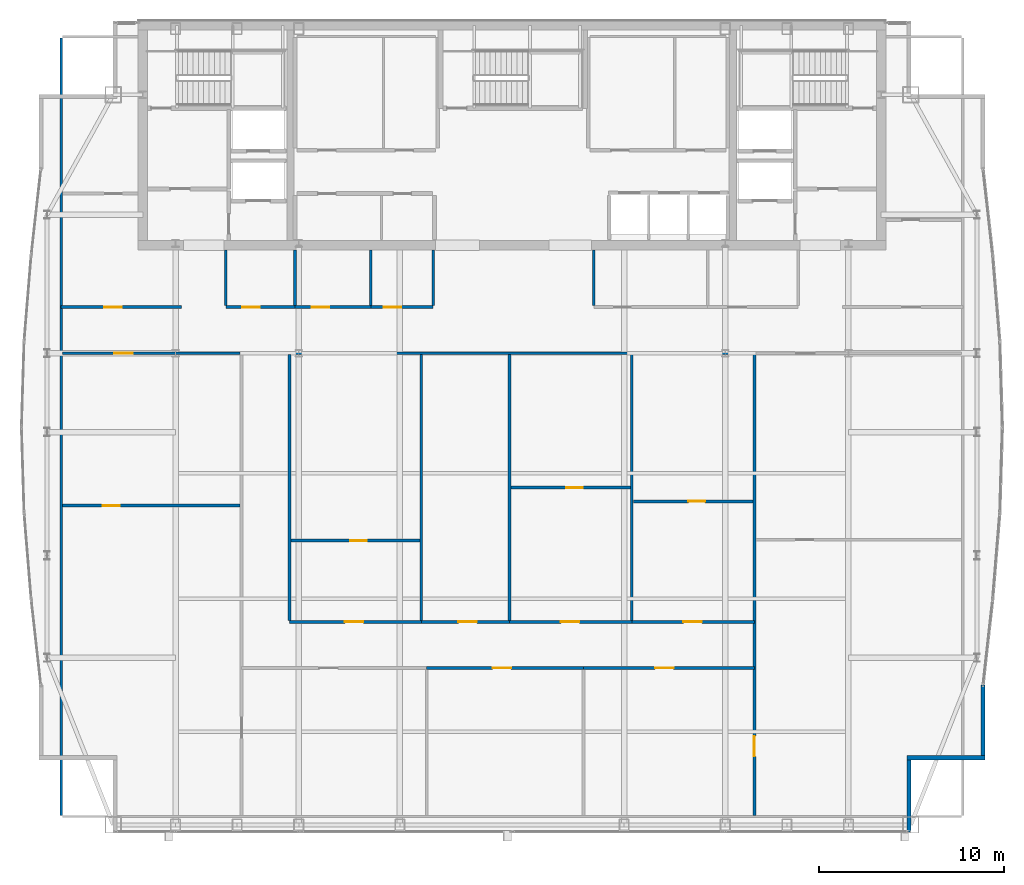
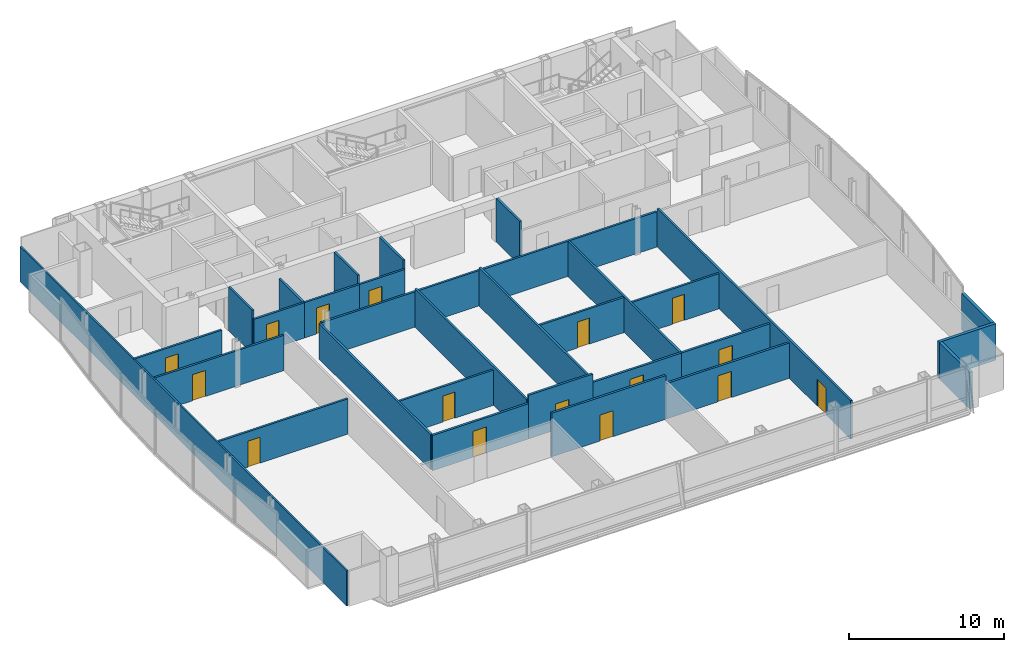
# One storey, part 20 of 25: 30 walls, 16 doors, 16 openings.
"""IFC4 building model written with IfcOpenShell, lengths in metres."""

from ifc_helpers import new_model, si_unit, direction, frame, frame_2d, origin, place, context, subcontext, project, spatial, rectangle, extrude, material, layer, layer_set, type_object, element, fill, save


model = new_model("IFC4")

# Units and contexts
model_context = context("Model", 3, precision=1e-05, world=origin(), true_north=direction((0.0, 1.0)))
body_context = subcontext(model_context, "Body", "Model", "MODEL_VIEW")
ifc_project = project(units=[si_unit("LENGTHUNIT", "METRE"), si_unit("AREAUNIT", "SQUARE_METRE"), si_unit("VOLUMEUNIT", "CUBIC_METRE"), si_unit("PLANEANGLEUNIT", "RADIAN"), si_unit("MASSUNIT", "GRAM", prefix="KILO")], contexts=[model_context])

# Site, building, storey
site_placement = place(None, origin())
site = spatial("IfcSite", under=ifc_project, at=site_placement, CompositionType="ELEMENT")
building_placement = place(site_placement, origin())
building = spatial("IfcBuilding", under=site, at=building_placement, Name="Khoronbel Lancet Exchange", CompositionType="ELEMENT")
storey_placement = place(building_placement, frame((0.0, 0.0, 295.0)))
storey = spatial("IfcBuildingStorey", under=building, at=storey_placement, Name="L76", CompositionType="ELEMENT", Elevation=295.0)

# Walls
ifc_material_1 = material(Name="Precast concrete C40/50", Category="concrete")
ifc_layer_1 = layer(ifc_material_1, 0.25, Name="Precast concrete C40/50")
ifc_layer_set_1 = layer_set([ifc_layer_1], Name="Precast concrete C40/50")
wall_type_1 = type_object("IfcWallType", Name="WL-EXT250", PredefinedType="SOLIDWALL", material=ifc_layer_set_1)
wall_1_placement = place(storey_placement, frame((61.9599609375, 17.72509765625, 0.0), z_axis=(0.0, 0.0, 1.0), x_axis=(0.0, -1.0, 0.0)))
element("IfcWall", 1, at=wall_1_placement, inside=storey, type_object=wall_type_1, Name="Level L76 notched-corner limestone pier 23", PredefinedType="SOLIDWALL", context=body_context, shape_type="SweptSolid", body=[
    extrude(rectangle(XDim=3.8251953125, YDim=0.219970703125, at=frame_2d((1.91259765625, 0.0))), origin(), (0.0, 0.0, 1.0), 2.8798828125),
])
wall_2_placement = place(storey_placement, frame((62.070068359375, 13.7900390625, 0.0), z_axis=(0.0, 0.0, 1.0), x_axis=(-1.0, 0.0, 0.0)))
element("IfcWall", 2, at=wall_2_placement, inside=storey, type_object=wall_type_1, Name="Level L76 notched-corner limestone pier 24", PredefinedType="SOLIDWALL", context=body_context, shape_type="SweptSolid", body=[
    extrude(rectangle(XDim=4.219970703125, YDim=0.219970703125, at=frame_2d((2.10986328125, 0.0))), origin(), (0.0, 0.0, 1.0), 2.8798828125),
])
wall_3_placement = place(storey_placement, frame((57.9599609375, 13.679931640625, 0.0), z_axis=(0.0, 0.0, 1.0), x_axis=(0.0, -1.0, 0.0)))
element("IfcWall", 3, at=wall_3_placement, inside=storey, type_object=wall_type_1, Name="Level L76 notched-corner limestone pier 25", PredefinedType="SOLIDWALL", context=body_context, shape_type="SweptSolid", body=[
    extrude(rectangle(XDim=3.909912109375, YDim=0.219970703125, at=frame_2d((1.955078125, 0.0))), origin(), (0.0, 0.0, 1.0), 2.8798828125),
])
ifc_material_2 = material(Name="Acoustic Metal-Stud & Mineral-Wool Gypsum Partition 120 mm", Category="gypsum")
ifc_layer_2 = layer(ifc_material_2, 0.1201171875, Name="Acoustic Metal-Stud & Mineral-Wool Gypsum Partition 120 mm")
ifc_layer_set_2 = layer_set([ifc_layer_2], Name="Acoustic Metal-Stud & Mineral-Wool Gypsum Partition 120 mm")
wall_type_2 = type_object("IfcWallType", Name="WL-PRT120", PredefinedType="PARTITIONING", material=ifc_layer_set_2)
wall_4_placement = place(storey_placement, frame((20.949951171875, 38.280029296875, 0.0), z_axis=(0.0, 0.0, 1.0), x_axis=(0.0, 1.0, 0.0)))
element("IfcWall", 4, at=wall_4_placement, inside=storey, type_object=wall_type_2, Name="Level L76 interior partition PW-WC-0", PredefinedType="PARTITIONING", context=body_context, shape_type="SweptSolid", body=[
    extrude(rectangle(XDim=3.02001953125, YDim=0.14990234375, at=frame_2d((1.510009765625, 0.0))), origin(), (0.0, 0.0, 1.0), 3.43994140625),
])
wall_5_placement = place(storey_placement, frame((24.699951171875, 38.280029296875, 0.0), z_axis=(0.0, 0.0, 1.0), x_axis=(0.0, 1.0, 0.0)))
element("IfcWall", 5, at=wall_5_placement, inside=storey, type_object=wall_type_2, Name="Level L76 interior partition PW-WC-1", PredefinedType="PARTITIONING", context=body_context, shape_type="SweptSolid", body=[
    extrude(rectangle(XDim=3.02001953125, YDim=0.14990234375, at=frame_2d((1.510009765625, 0.0))), origin(), (0.0, 0.0, 1.0), 2.780029296875),
])
for number, where, z_axis, x_axis, name in (
    (6, (28.800048828125, 38.280029296875, 0.0), (0.0, 0.0, 1.0), (0.0, 1.0, 0.0), "Level L76 interior partition PW-WC-2"),
    (7, (32.179931640625, 38.280029296875, 0.0), (0.0, 0.0, 1.0), (0.0, 1.0, 0.0), "Level L76 interior partition PW-WC-3"),
    (8, (40.8798828125, 38.280029296875, 0.0), (0.0, 0.0, 1.0), (0.0, 1.0, 0.0), "Level L76 interior partition PW-NP-0"),
):
    element("IfcWall", number, at=place(storey_placement, frame(where, z_axis=z_axis, x_axis=x_axis)), inside=storey, type_object=wall_type_2, Name=name, PredefinedType="PARTITIONING", context=body_context, shape_type="SweptSolid", body=[
        extrude(rectangle(XDim=3.02001953125, YDim=0.14990234375, at=frame_2d((1.510009765625, 0.0))), origin(), (0.0, 0.0, 1.0), 3.43994140625),
    ])

# Wall, opening, door
wall_6_placement = place(storey_placement, frame((12.094970703125, 27.449951171875, 0.0), z_axis=(0.0, 0.0, 1.0), x_axis=(1.0, 0.0, 0.0)))
wall_6 = element("IfcWall", 9, at=wall_6_placement, inside=storey, type_object=wall_type_2, Name="Level L76 interior partition PW-Z4-WH", PredefinedType="PARTITIONING", context=body_context, shape_type="SweptSolid", body=[
    extrude(rectangle(XDim=9.625, YDim=0.14990234375, at=frame_2d((4.8125, 0.0))), origin(), (0.0, 0.0, 1.0), 2.780029296875),
])
opening_1_placement = place(wall_6_placement, frame((2.199951171875, 0.0, 0.0)))
opening_1 = element("IfcOpeningElement", 10, at=opening_1_placement, cuts=wall_6, Name="Opening D5", PredefinedType="OPENING", context=body_context, shape_type="SweptSolid", body=[
    extrude(rectangle(XDim=0.89990234375, YDim=2.050048828125, at=frame_2d((0.449951171875, 1.02490234375))), frame((0.0, 0.0849609375, 0.0), z_axis=(0.0, -1.0, 0.0), x_axis=(1.0, 0.0, 0.0)), (0.0, 0.0, 1.0), 0.169921875),
])
ifc_material_3 = material(Name="Acoustic Timber Pantry & Support Door", Category="wood")
door_type_1 = type_object("IfcDoorType", Name="DR-D5", OperationType="NOTDEFINED", PredefinedType="DOOR", material=ifc_material_3)
door_1_placement = place(opening_1_placement, origin())
door_1 = element("IfcDoor", 11, at=door_1_placement, inside=storey, type_object=door_type_1, Name="West lens inner door L76-1", OperationType="SINGLE_SWING_LEFT", OverallHeight=2.050048828125, OverallWidth=0.89990234375, PredefinedType="DOOR", context=body_context, shape_type="SweptSolid", body=[
    extrude(rectangle(XDim=0.89990234375, YDim=2.050048828125, at=frame_2d((0.449951171875, 1.02490234375))), frame((0.0, 0.02490234375, 0.0), z_axis=(0.0, -1.0, 0.0), x_axis=(1.0, 0.0, 0.0)), (0.0, 0.0, 1.0), 0.050048828125),
])
fill(opening_1, door_1)

wall_7_placement = place(storey_placement, frame((24.47998046875, 25.549560546875, 0.0), z_axis=(0.0, 0.0, 1.0), x_axis=(1.0, 0.0, 0.0)))
wall_7 = element("IfcWall", 12, at=wall_7_placement, inside=storey, type_object=wall_type_2, Name="Level L76 interior partition PW-Z4C-H1", PredefinedType="PARTITIONING", context=body_context, shape_type="SweptSolid", body=[
    extrude(rectangle(XDim=6.97802734375, YDim=0.14990234375, at=frame_2d((3.489013671875, 0.0))), origin(), (0.0, 0.0, 1.0), 2.780029296875),
])
opening_2_placement = place(wall_7_placement, frame((3.212158203125, 0.0, 0.0)))
opening_2 = element("IfcOpeningElement", 13, at=opening_2_placement, cuts=wall_7, Name="Opening D5", PredefinedType="OPENING", context=body_context, shape_type="SweptSolid", body=[
    extrude(rectangle(XDim=0.89990234375, YDim=2.050048828125, at=frame_2d((0.449951171875, 1.02490234375))), frame((0.0, 0.0849609375, 0.0), z_axis=(0.0, -1.0, 0.0), x_axis=(1.0, 0.0, 0.0)), (0.0, 0.0, 1.0), 0.169921875),
])
door_2_placement = place(opening_2_placement, origin())
door_2 = element("IfcDoor", 14, at=door_2_placement, inside=storey, type_object=door_type_1, Name="Z4C inner door 1 L76-1", OperationType="SINGLE_SWING_RIGHT", OverallHeight=2.050048828125, OverallWidth=0.89990234375, PredefinedType="DOOR", context=body_context, shape_type="SweptSolid", body=[
    extrude(rectangle(XDim=0.89990234375, YDim=2.050048828125, at=frame_2d((0.449951171875, 1.02490234375))), frame((0.0, 0.02490234375, 0.0), z_axis=(0.0, -1.0, 0.0), x_axis=(1.0, 0.0, 0.0)), (0.0, 0.0, 1.0), 0.050048828125),
])
fill(opening_2, door_2)

wall_8_placement = place(storey_placement, frame((36.398193359375, 28.425048828125, 0.0), z_axis=(0.0, 0.0, 1.0), x_axis=(1.0, 0.0, 0.0)))
wall_8 = element("IfcWall", 15, at=wall_8_placement, inside=storey, type_object=wall_type_2, Name="Level L76 interior partition PW-Z4C-H3", PredefinedType="PARTITIONING", context=body_context, shape_type="SweptSolid", body=[
    extrude(rectangle(XDim=6.462890625, YDim=0.14990234375, at=frame_2d((3.2314453125, 0.0))), origin(), (0.0, 0.0, 1.0), 2.780029296875),
])
opening_3_placement = place(wall_8_placement, frame((2.980224609375, 0.0, 0.0)))
opening_3 = element("IfcOpeningElement", 16, at=opening_3_placement, cuts=wall_8, Name="Opening D5", PredefinedType="OPENING", context=body_context, shape_type="SweptSolid", body=[
    extrude(rectangle(XDim=0.89990234375, YDim=2.050048828125, at=frame_2d((0.449951171875, 1.02490234375))), frame((0.0, 0.0849609375, 0.0), z_axis=(0.0, -1.0, 0.0), x_axis=(1.0, 0.0, 0.0)), (0.0, 0.0, 1.0), 0.169921875),
])
door_3_placement = place(opening_3_placement, origin())
door_3 = element("IfcDoor", 17, at=door_3_placement, inside=storey, type_object=door_type_1, Name="Z4C inner door 3 L76-1", OperationType="SINGLE_SWING_LEFT", OverallHeight=2.050048828125, OverallWidth=0.89990234375, PredefinedType="DOOR", context=body_context, shape_type="SweptSolid", body=[
    extrude(rectangle(XDim=0.89990234375, YDim=2.050048828125, at=frame_2d((0.449951171875, 1.02490234375))), frame((0.0, 0.02490234375, 0.0), z_axis=(0.0, -1.0, 0.0), x_axis=(1.0, 0.0, 0.0)), (0.0, 0.0, 1.0), 0.050048828125),
])
fill(opening_3, door_3)

wall_9_placement = place(storey_placement, frame((43.02099609375, 27.671630859375, 0.0), z_axis=(0.0, 0.0, 1.0), x_axis=(1.0, 0.0, 0.0)))
wall_9 = element("IfcWall", 18, at=wall_9_placement, inside=storey, type_object=wall_type_2, Name="Level L76 interior partition PW-Z4C-H4", PredefinedType="PARTITIONING", context=body_context, shape_type="SweptSolid", body=[
    extrude(rectangle(XDim=6.47900390625, YDim=0.14990234375, at=frame_2d((3.239501953125, 0.0))), origin(), (0.0, 0.0, 1.0), 2.780029296875),
])
opening_4_placement = place(wall_9_placement, frame((2.987548828125, 0.0, 0.0)))
opening_4 = element("IfcOpeningElement", 19, at=opening_4_placement, cuts=wall_9, Name="Opening D5", PredefinedType="OPENING", context=body_context, shape_type="SweptSolid", body=[
    extrude(rectangle(XDim=0.89990234375, YDim=2.050048828125, at=frame_2d((0.449951171875, 1.02490234375))), frame((0.0, 0.0849609375, 0.0), z_axis=(0.0, -1.0, 0.0), x_axis=(1.0, 0.0, 0.0)), (0.0, 0.0, 1.0), 0.169921875),
])
door_4_placement = place(opening_4_placement, origin())
door_4 = element("IfcDoor", 20, at=door_4_placement, inside=storey, type_object=door_type_1, Name="Z4C inner door 4 L76-1", OperationType="SINGLE_SWING_LEFT", OverallHeight=2.050048828125, OverallWidth=0.89990234375, PredefinedType="DOOR", context=body_context, shape_type="SweptSolid", body=[
    extrude(rectangle(XDim=0.89990234375, YDim=2.050048828125, at=frame_2d((0.449951171875, 1.02490234375))), frame((0.0, 0.02490234375, 0.0), z_axis=(0.0, -1.0, 0.0), x_axis=(1.0, 0.0, 0.0)), (0.0, 0.0, 1.0), 0.050048828125),
])
fill(opening_4, door_4)

# Wall
wall_10_placement = place(storey_placement, frame((12.030029296875, 10.6650390625, 0.0), z_axis=(0.0, 0.0, 1.0), x_axis=(0.0, 1.0, 0.0)))
element("IfcWall", 21, at=wall_10_placement, inside=storey, type_object=wall_type_2, Name="Level L76 interior partition PW-LIN-W", PredefinedType="PARTITIONING", context=body_context, shape_type="SweptSolid", body=[
    extrude(rectangle(XDim=42.10986328125, YDim=0.1201171875, at=frame_2d((21.054931640625, 0.0))), origin(), (0.0, 0.0, 1.0), 2.780029296875),
])

# Wall, opening, door
ifc_material_4 = material(Name="Fire-Rated Twin-Stud Acoustic Gypsum Partition 150 mm", Category="gypsum")
ifc_layer_3 = layer(ifc_material_4, 0.14990234375, Name="Fire-Rated Twin-Stud Acoustic Gypsum Partition 150 mm")
ifc_layer_set_3 = layer_set([ifc_layer_3], Name="Fire-Rated Twin-Stud Acoustic Gypsum Partition 150 mm")
wall_type_3 = type_object("IfcWallType", Name="WL-PRT150C", PredefinedType="PARTITIONING", material=ifc_layer_set_3)
wall_11_placement = place(storey_placement, frame((20.949951171875, 38.199951171875, 0.0), z_axis=(0.0, 0.0, 1.0), x_axis=(1.0, 0.0, 0.0)))
wall_11 = element("IfcWall", 22, at=wall_11_placement, inside=storey, type_object=wall_type_3, Name="Level L76 interior partition PW-WC-S1", PredefinedType="PARTITIONING", context=body_context, shape_type="SweptSolid", body=[
    extrude(rectangle(XDim=3.75, YDim=0.14990234375, at=frame_2d((1.875, 0.0))), origin(), (0.0, 0.0, 1.0), 2.780029296875),
])
opening_5_placement = place(wall_11_placement, frame((0.89990234375, 0.0, 0.0)))
opening_5 = element("IfcOpeningElement", 23, at=opening_5_placement, cuts=wall_11, Name="Opening D4", PredefinedType="OPENING", context=body_context, shape_type="SweptSolid", body=[
    extrude(rectangle(XDim=0.949951171875, YDim=2.050048828125, at=frame_2d((0.47509765625, 1.02490234375))), frame((0.0, 0.0849609375, 0.0), z_axis=(0.0, -1.0, 0.0), x_axis=(1.0, 0.0, 0.0)), (0.0, 0.0, 1.0), 0.169921875),
])
ifc_material_5 = material(Name="Moisture-Resistant HPL Washroom Door", Category="wood")
door_type_2 = type_object("IfcDoorType", Name="DR-D4", OperationType="NOTDEFINED", PredefinedType="DOOR", material=ifc_material_5)
door_5_placement = place(opening_5_placement, origin())
door_5 = element("IfcDoor", 24, at=door_5_placement, inside=storey, type_object=door_type_2, Name="Male washroom door L76-1", OperationType="SINGLE_SWING_RIGHT", OverallHeight=2.050048828125, OverallWidth=0.949951171875, PredefinedType="DOOR", context=body_context, shape_type="SweptSolid", body=[
    extrude(rectangle(XDim=0.949951171875, YDim=2.050048828125, at=frame_2d((0.47509765625, 1.02490234375))), frame((0.0, 0.02490234375, 0.0), z_axis=(0.0, -1.0, 0.0), x_axis=(1.0, 0.0, 0.0)), (0.0, 0.0, 1.0), 0.050048828125),
])
fill(opening_5, door_5)

wall_12_placement = place(storey_placement, frame((24.699951171875, 38.199951171875, 0.0), z_axis=(0.0, 0.0, 1.0), x_axis=(1.0, 0.0, 0.0)))
wall_12 = element("IfcWall", 25, at=wall_12_placement, inside=storey, type_object=wall_type_3, Name="Level L76 interior partition PW-WC-S2", PredefinedType="PARTITIONING", context=body_context, shape_type="SweptSolid", body=[
    extrude(rectangle(XDim=4.10009765625, YDim=0.14990234375, at=frame_2d((2.050048828125, 0.0))), origin(), (0.0, 0.0, 1.0), 2.780029296875),
])
opening_6_placement = place(wall_12_placement, frame((0.89990234375, 0.0, 0.0)))
opening_6 = element("IfcOpeningElement", 26, at=opening_6_placement, cuts=wall_12, Name="Opening D4", PredefinedType="OPENING", context=body_context, shape_type="SweptSolid", body=[
    extrude(rectangle(XDim=0.949951171875, YDim=2.050048828125, at=frame_2d((0.47509765625, 1.02490234375))), frame((0.0, 0.0849609375, 0.0), z_axis=(0.0, -1.0, 0.0), x_axis=(1.0, 0.0, 0.0)), (0.0, 0.0, 1.0), 0.169921875),
])
door_6_placement = place(opening_6_placement, origin())
door_6 = element("IfcDoor", 27, at=door_6_placement, inside=storey, type_object=door_type_2, Name="Female washroom door L76-1", OperationType="SINGLE_SWING_LEFT", OverallHeight=2.050048828125, OverallWidth=0.949951171875, PredefinedType="DOOR", context=body_context, shape_type="SweptSolid", body=[
    extrude(rectangle(XDim=0.949951171875, YDim=2.050048828125, at=frame_2d((0.47509765625, 1.02490234375))), frame((0.0, 0.02490234375, 0.0), z_axis=(0.0, -1.0, 0.0), x_axis=(1.0, 0.0, 0.0)), (0.0, 0.0, 1.0), 0.050048828125),
])
fill(opening_6, door_6)

wall_13_placement = place(storey_placement, frame((28.800048828125, 38.199951171875, 0.0), z_axis=(0.0, 0.0, 1.0), x_axis=(1.0, 0.0, 0.0)))
wall_13 = element("IfcWall", 28, at=wall_13_placement, inside=storey, type_object=wall_type_3, Name="Level L76 interior partition PW-WC-S3", PredefinedType="PARTITIONING", context=body_context, shape_type="SweptSolid", body=[
    extrude(rectangle(XDim=3.3798828125, YDim=0.14990234375, at=frame_2d((1.68994140625, 0.0))), origin(), (0.0, 0.0, 1.0), 2.780029296875),
])
opening_7_placement = place(wall_13_placement, frame((0.699951171875, 0.0, 0.0)))
opening_7 = element("IfcOpeningElement", 29, at=opening_7_placement, cuts=wall_13, Name="Opening D4", PredefinedType="OPENING", context=body_context, shape_type="SweptSolid", body=[
    extrude(rectangle(XDim=0.949951171875, YDim=2.050048828125, at=frame_2d((0.47509765625, 1.02490234375))), frame((0.0, 0.0849609375, 0.0), z_axis=(0.0, -1.0, 0.0), x_axis=(1.0, 0.0, 0.0)), (0.0, 0.0, 1.0), 0.169921875),
])
door_7_placement = place(opening_7_placement, origin())
door_7 = element("IfcDoor", 30, at=door_7_placement, inside=storey, type_object=door_type_2, Name="Accessible WC door L76-1", OperationType="SINGLE_SWING_RIGHT", OverallHeight=2.050048828125, OverallWidth=0.949951171875, PredefinedType="DOOR", context=body_context, shape_type="SweptSolid", body=[
    extrude(rectangle(XDim=0.949951171875, YDim=2.050048828125, at=frame_2d((0.47509765625, 1.02490234375))), frame((0.0, 0.02490234375, 0.0), z_axis=(0.0, -1.0, 0.0), x_axis=(1.0, 0.0, 0.0)), (0.0, 0.0, 1.0), 0.050048828125),
])
fill(opening_7, door_7)

wall_14_placement = place(storey_placement, frame((12.030029296875, 38.199951171875, 0.0), z_axis=(0.0, 0.0, 1.0), x_axis=(1.0, 0.0, 0.0)))
wall_14 = element("IfcWall", 31, at=wall_14_placement, inside=storey, type_object=wall_type_3, Name="Level L76 interior partition PW-NW-S", PredefinedType="PARTITIONING", context=body_context, shape_type="SweptSolid", body=[
    extrude(rectangle(XDim=6.52001953125, YDim=0.14990234375, at=frame_2d((3.260009765625, 0.0))), origin(), (0.0, 0.0, 1.0), 2.780029296875),
])
opening_8_placement = place(wall_14_placement, frame((2.320068359375, 0.0, 0.0)))
opening_8 = element("IfcOpeningElement", 32, at=opening_8_placement, cuts=wall_14, Name="Opening D1", PredefinedType="OPENING", context=body_context, shape_type="SweptSolid", body=[
    extrude(rectangle(XDim=0.949951171875, YDim=2.050048828125, at=frame_2d((0.47509765625, 1.02490234375))), frame((0.0, 0.0849609375, 0.0), z_axis=(0.0, -1.0, 0.0), x_axis=(1.0, 0.0, 0.0)), (0.0, 0.0, 1.0), 0.169921875),
])
ifc_material_6 = material(Name="Acoustic Veneered Timber & Bronze Frame Door", Category="wood")
door_type_3 = type_object("IfcDoorType", Name="DR-D1", OperationType="NOTDEFINED", PredefinedType="DOOR", material=ifc_material_6)
door_8_placement = place(opening_8_placement, origin())
door_8 = element("IfcDoor", 33, at=door_8_placement, inside=storey, type_object=door_type_3, Name="NW corner room door L76-1", OperationType="SINGLE_SWING_LEFT", OverallHeight=2.050048828125, OverallWidth=0.949951171875, PredefinedType="DOOR", context=body_context, shape_type="SweptSolid", body=[
    extrude(rectangle(XDim=0.949951171875, YDim=2.050048828125, at=frame_2d((0.47509765625, 1.02490234375))), frame((0.0, 0.02490234375, 0.0), z_axis=(0.0, -1.0, 0.0), x_axis=(1.0, 0.0, 0.0)), (0.0, 0.0, 1.0), 0.050048828125),
])
fill(opening_8, door_8)

wall_15_placement = place(storey_placement, frame((12.094970703125, 35.699951171875, 0.0), z_axis=(0.0, 0.0, 1.0), x_axis=(1.0, 0.0, 0.0)))
wall_15 = element("IfcWall", 34, at=wall_15_placement, inside=storey, type_object=wall_type_3, Name="Level L76 interior partition PW-Z4-WN", PredefinedType="PARTITIONING", context=body_context, shape_type="SweptSolid", body=[
    extrude(rectangle(XDim=9.625, YDim=0.14990234375, at=frame_2d((4.8125, 0.0))), origin(), (0.0, 0.0, 1.0), 2.780029296875),
])
opening_9_placement = place(wall_15_placement, frame((2.800048828125, 0.0, 0.0)))
opening_9 = element("IfcOpeningElement", 35, at=opening_9_placement, cuts=wall_15, Name="Opening D2", PredefinedType="OPENING", context=body_context, shape_type="SweptSolid", body=[
    extrude(rectangle(XDim=1.0, YDim=2.050048828125, at=frame_2d((0.5, 1.02490234375))), frame((0.0, 0.0849609375, 0.0), z_axis=(0.0, -1.0, 0.0), x_axis=(1.0, 0.0, 0.0)), (0.0, 0.0, 1.0), 0.169921875),
])
door_type_4 = type_object("IfcDoorType", Name="DR-D2", OperationType="NOTDEFINED", PredefinedType="DOOR", material=ifc_material_6)
door_9_placement = place(opening_9_placement, origin())
door_9 = element("IfcDoor", 36, at=door_9_placement, inside=storey, type_object=door_type_4, Name="West lens north door L76-1", OperationType="SINGLE_SWING_RIGHT", OverallHeight=2.050048828125, OverallWidth=1.0, PredefinedType="DOOR", context=body_context, shape_type="SweptSolid", body=[
    extrude(rectangle(XDim=1.0, YDim=2.050048828125, at=frame_2d((0.5, 1.02490234375))), frame((0.0, 0.02490234375, 0.0), z_axis=(0.0, -1.0, 0.0), x_axis=(1.0, 0.0, 0.0)), (0.0, 0.0, 1.0), 0.050048828125),
])
fill(opening_9, door_9)

# Wall
wall_16_placement = place(storey_placement, frame((24.39990234375, 21.235107421875, 0.0), z_axis=(0.0, 0.0, 1.0), x_axis=(0.0, 1.0, 0.0)))
element("IfcWall", 37, at=wall_16_placement, inside=storey, type_object=wall_type_3, Name="Level L76 interior partition PW-Z4-WE", PredefinedType="PARTITIONING", context=body_context, shape_type="SweptSolid", body=[
    extrude(rectangle(XDim=14.385009765625, YDim=0.14990234375, at=frame_2d((7.1923828125, 0.0))), origin(), (0.0, 0.0, 1.0), 2.780029296875),
])

# Wall, opening, door
wall_17_placement = place(storey_placement, frame((49.580078125, 10.6650390625, 0.0), z_axis=(0.0, 0.0, 1.0), x_axis=(0.0, 1.0, 0.0)))
wall_17 = element("IfcWall", 38, at=wall_17_placement, inside=storey, type_object=wall_type_3, Name="Level L76 interior partition PW-Z4-PE", PredefinedType="PARTITIONING", context=body_context, shape_type="SweptSolid", body=[
    extrude(rectangle(XDim=24.955078125, YDim=0.14990234375, at=frame_2d((12.4775390625, 0.0))), origin(), (0.0, 0.0, 1.0), 3.030029296875),
])
opening_10_placement = place(wall_17_placement, frame((3.199951171875, 0.0, 0.0)))
opening_10 = element("IfcOpeningElement", 39, at=opening_10_placement, cuts=wall_17, Name="Opening D6", PredefinedType="OPENING", context=body_context, shape_type="SweptSolid", body=[
    extrude(rectangle(XDim=1.10009765625, YDim=2.10009765625, at=frame_2d((0.550048828125, 1.050048828125))), frame((0.0, 0.0849609375, 0.0), z_axis=(0.0, -1.0, 0.0), x_axis=(1.0, 0.0, 0.0)), (0.0, 0.0, 1.0), 0.169921875),
])
ifc_material_7 = material(Name="Acoustic Bronze-Veneer Executive Suite Door", Category="wood")
door_type_5 = type_object("IfcDoorType", Name="DR-D6", OperationType="NOTDEFINED", PredefinedType="DOOR", material=ifc_material_7)
door_10_placement = place(opening_10_placement, origin())
door_10 = element("IfcDoor", 40, at=door_10_placement, inside=storey, type_object=door_type_5, Name="East lens south door L76-1", OperationType="SINGLE_SWING_RIGHT", OverallHeight=2.10009765625, OverallWidth=1.10009765625, PredefinedType="DOOR", context=body_context, shape_type="SweptSolid", body=[
    extrude(rectangle(XDim=1.10009765625, YDim=2.10009765625, at=frame_2d((0.550048828125, 1.050048828125))), frame((0.0, 0.02490234375, 0.0), z_axis=(0.0, -1.0, 0.0), x_axis=(1.0, 0.0, 0.0)), (0.0, 0.0, 1.0), 0.050048828125),
])
fill(opening_10, door_10)

# Walls
wall_18_placement = place(storey_placement, frame((24.47998046875, 35.699951171875, 0.0), z_axis=(0.0, 0.0, 1.0), x_axis=(1.0, 0.0, 0.0)))
element("IfcWall", 41, at=wall_18_placement, inside=storey, type_object=wall_type_3, Name="Level L76 interior partition PW-Z4-EN1", PredefinedType="PARTITIONING", context=body_context, shape_type="SweptSolid", body=[
    extrude(rectangle(XDim=25.02001953125, YDim=0.14990234375, at=frame_2d((12.510009765625, 0.0))), origin(), (0.0, 0.0, 1.0), 2.780029296875),
])
for number, where, z_axis, x_axis, name in (
    (42, (31.5380859375, 21.235107421875, 0.0), (0.0, 0.0, 1.0), (0.0, 1.0, 0.0), "Level L76 interior partition PW-Z4C-V1"),
    (43, (36.318115234375, 21.235107421875, 0.0), (0.0, 0.0, 1.0), (0.0, 1.0, 0.0), "Level L76 interior partition PW-Z4C-V2"),
):
    element("IfcWall", number, at=place(storey_placement, frame(where, z_axis=z_axis, x_axis=x_axis)), inside=storey, type_object=wall_type_3, Name=name, PredefinedType="PARTITIONING", context=body_context, shape_type="SweptSolid", body=[
        extrude(rectangle(XDim=14.385009765625, YDim=0.14990234375, at=frame_2d((7.1923828125, 0.0))), origin(), (0.0, 0.0, 1.0), 3.030029296875),
    ])
wall_19_placement = place(storey_placement, frame((42.941162109375, 21.235107421875, 0.0), z_axis=(0.0, 0.0, 1.0), x_axis=(0.0, 1.0, 0.0)))
element("IfcWall", 44, at=wall_19_placement, inside=storey, type_object=wall_type_3, Name="Level L76 interior partition PW-Z4C-V3", PredefinedType="PARTITIONING", context=body_context, shape_type="SweptSolid", body=[
    extrude(rectangle(XDim=14.385009765625, YDim=0.14990234375, at=frame_2d((7.1923828125, 0.0))), origin(), (0.0, 0.0, 1.0), 2.780029296875),
])

# Wall, opening, door
ifc_material_8 = material(Name="Fire-Rated Twin-Stud Acoustic Gypsum Partition 160 mm", Category="gypsum")
ifc_layer_4 = layer(ifc_material_8, 0.159912109375, Name="Fire-Rated Twin-Stud Acoustic Gypsum Partition 160 mm")
ifc_layer_set_4 = layer_set([ifc_layer_4], Name="Fire-Rated Twin-Stud Acoustic Gypsum Partition 160 mm")
wall_type_4 = type_object("IfcWallType", Name="WL-PRT160C", PredefinedType="PARTITIONING", material=ifc_layer_set_4)
wall_20_placement = place(storey_placement, frame((24.39990234375, 21.14990234375, 0.0), z_axis=(0.0, 0.0, 1.0), x_axis=(1.0, 0.0, 0.0)))
wall_20 = element("IfcWall", 45, at=wall_20_placement, inside=storey, type_object=wall_type_4, Name="Level L76 interior partition PW-Z4C-COR1", PredefinedType="PARTITIONING", context=body_context, shape_type="SweptSolid", body=[
    extrude(rectangle(XDim=7.13818359375, YDim=0.159912109375, at=frame_2d((3.569091796875, 0.0))), origin(), (0.0, 0.0, 1.0), 2.780029296875),
])
opening_11_placement = place(wall_20_placement, frame((2.998046875, 0.0, 0.0)))
opening_11 = element("IfcOpeningElement", 46, at=opening_11_placement, cuts=wall_20, Name="Opening D2", PredefinedType="OPENING", context=body_context, shape_type="SweptSolid", body=[
    extrude(rectangle(XDim=1.0, YDim=2.050048828125, at=frame_2d((0.5, 1.02490234375))), frame((0.0, 0.08984375, 0.0), z_axis=(0.0, -1.0, 0.0), x_axis=(1.0, 0.0, 0.0)), (0.0, 0.0, 1.0), 0.179931640625),
])
door_11_placement = place(opening_11_placement, origin())
door_11 = element("IfcDoor", 47, at=door_11_placement, inside=storey, type_object=door_type_4, Name="Z4C bay 1 door L76-1", OperationType="SINGLE_SWING_LEFT", OverallHeight=2.050048828125, OverallWidth=1.0, PredefinedType="DOOR", context=body_context, shape_type="SweptSolid", body=[
    extrude(rectangle(XDim=1.0, YDim=2.050048828125, at=frame_2d((0.5, 1.02490234375))), frame((0.0, 0.02490234375, 0.0), z_axis=(0.0, -1.0, 0.0), x_axis=(1.0, 0.0, 0.0)), (0.0, 0.0, 1.0), 0.050048828125),
])
fill(opening_11, door_11)

wall_21_placement = place(storey_placement, frame((31.5380859375, 21.14990234375, 0.0), z_axis=(0.0, 0.0, 1.0), x_axis=(1.0, 0.0, 0.0)))
wall_21 = element("IfcWall", 48, at=wall_21_placement, inside=storey, type_object=wall_type_4, Name="Level L76 interior partition PW-Z4C-COR2", PredefinedType="PARTITIONING", context=body_context, shape_type="SweptSolid", body=[
    extrude(rectangle(XDim=4.780029296875, YDim=0.159912109375, at=frame_2d((2.39013671875, 0.0))), origin(), (0.0, 0.0, 1.0), 3.43994140625),
])
opening_12_placement = place(wall_21_placement, frame((2.007568359375, 0.0, 0.0)))
opening_12 = element("IfcOpeningElement", 49, at=opening_12_placement, cuts=wall_21, Name="Opening D2", PredefinedType="OPENING", context=body_context, shape_type="SweptSolid", body=[
    extrude(rectangle(XDim=1.0, YDim=2.050048828125, at=frame_2d((0.5, 1.02490234375))), frame((0.0, 0.08984375, 0.0), z_axis=(0.0, -1.0, 0.0), x_axis=(1.0, 0.0, 0.0)), (0.0, 0.0, 1.0), 0.179931640625),
])
door_12_placement = place(opening_12_placement, origin())
door_12 = element("IfcDoor", 50, at=door_12_placement, inside=storey, type_object=door_type_4, Name="Z4C bay 2 door L76-1", OperationType="SINGLE_SWING_LEFT", OverallHeight=2.050048828125, OverallWidth=1.0, PredefinedType="DOOR", context=body_context, shape_type="SweptSolid", body=[
    extrude(rectangle(XDim=1.0, YDim=2.050048828125, at=frame_2d((0.5, 1.02490234375))), frame((0.0, 0.02490234375, 0.0), z_axis=(0.0, -1.0, 0.0), x_axis=(1.0, 0.0, 0.0)), (0.0, 0.0, 1.0), 0.050048828125),
])
fill(opening_12, door_12)

wall_22_placement = place(storey_placement, frame((36.318115234375, 21.14990234375, 0.0), z_axis=(0.0, 0.0, 1.0), x_axis=(1.0, 0.0, 0.0)))
wall_22 = element("IfcWall", 51, at=wall_22_placement, inside=storey, type_object=wall_type_4, Name="Level L76 interior partition PW-Z4C-COR3", PredefinedType="PARTITIONING", context=body_context, shape_type="SweptSolid", body=[
    extrude(rectangle(XDim=6.623046875, YDim=0.159912109375, at=frame_2d((3.3115234375, 0.0))), origin(), (0.0, 0.0, 1.0), 2.780029296875),
])
opening_13_placement = place(wall_22_placement, frame((2.78173828125, 0.0, 0.0)))
opening_13 = element("IfcOpeningElement", 52, at=opening_13_placement, cuts=wall_22, Name="Opening D2", PredefinedType="OPENING", context=body_context, shape_type="SweptSolid", body=[
    extrude(rectangle(XDim=1.0, YDim=2.050048828125, at=frame_2d((0.5, 1.02490234375))), frame((0.0, 0.08984375, 0.0), z_axis=(0.0, -1.0, 0.0), x_axis=(1.0, 0.0, 0.0)), (0.0, 0.0, 1.0), 0.179931640625),
])
door_13_placement = place(opening_13_placement, origin())
door_13 = element("IfcDoor", 53, at=door_13_placement, inside=storey, type_object=door_type_4, Name="Z4C bay 3 door L76-1", OperationType="SINGLE_SWING_RIGHT", OverallHeight=2.050048828125, OverallWidth=1.0, PredefinedType="DOOR", context=body_context, shape_type="SweptSolid", body=[
    extrude(rectangle(XDim=1.0, YDim=2.050048828125, at=frame_2d((0.5, 1.02490234375))), frame((0.0, 0.02490234375, 0.0), z_axis=(0.0, -1.0, 0.0), x_axis=(1.0, 0.0, 0.0)), (0.0, 0.0, 1.0), 0.050048828125),
])
fill(opening_13, door_13)

wall_23_placement = place(storey_placement, frame((42.941162109375, 21.14990234375, 0.0), z_axis=(0.0, 0.0, 1.0), x_axis=(1.0, 0.0, 0.0)))
wall_23 = element("IfcWall", 54, at=wall_23_placement, inside=storey, type_object=wall_type_4, Name="Level L76 interior partition PW-Z4C-COR4", PredefinedType="PARTITIONING", context=body_context, shape_type="SweptSolid", body=[
    extrude(rectangle(XDim=6.638916015625, YDim=0.159912109375, at=frame_2d((3.3193359375, 0.0))), origin(), (0.0, 0.0, 1.0), 2.780029296875),
])
opening_14_placement = place(wall_23_placement, frame((2.788330078125, 0.0, 0.0)))
opening_14 = element("IfcOpeningElement", 55, at=opening_14_placement, cuts=wall_23, Name="Opening D2", PredefinedType="OPENING", context=body_context, shape_type="SweptSolid", body=[
    extrude(rectangle(XDim=1.0, YDim=2.050048828125, at=frame_2d((0.5, 1.02490234375))), frame((0.0, 0.08984375, 0.0), z_axis=(0.0, -1.0, 0.0), x_axis=(1.0, 0.0, 0.0)), (0.0, 0.0, 1.0), 0.179931640625),
])
door_14_placement = place(opening_14_placement, origin())
door_14 = element("IfcDoor", 56, at=door_14_placement, inside=storey, type_object=door_type_4, Name="Z4C bay 4 door L76-1", OperationType="SINGLE_SWING_RIGHT", OverallHeight=2.050048828125, OverallWidth=1.0, PredefinedType="DOOR", context=body_context, shape_type="SweptSolid", body=[
    extrude(rectangle(XDim=1.0, YDim=2.050048828125, at=frame_2d((0.5, 1.02490234375))), frame((0.0, 0.02490234375, 0.0), z_axis=(0.0, -1.0, 0.0), x_axis=(1.0, 0.0, 0.0)), (0.0, 0.0, 1.0), 0.050048828125),
])
fill(opening_14, door_14)

wall_24_placement = place(storey_placement, frame((31.831787109375, 18.64990234375, 0.0), z_axis=(0.0, 0.0, 1.0), x_axis=(1.0, 0.0, 0.0)))
wall_24 = element("IfcWall", 57, at=wall_24_placement, inside=storey, type_object=wall_type_4, Name="Level L76 interior partition PW-Z4S-COR2", PredefinedType="PARTITIONING", context=body_context, shape_type="SweptSolid", body=[
    extrude(rectangle(XDim=8.48828125, YDim=0.159912109375, at=frame_2d((4.244140625, 0.0))), origin(), (0.0, 0.0, 1.0), 3.43994140625),
])
opening_15_placement = place(wall_24_placement, frame((3.565185546875, 0.0, 0.0)))
opening_15 = element("IfcOpeningElement", 58, at=opening_15_placement, cuts=wall_24, Name="Opening D2", PredefinedType="OPENING", context=body_context, shape_type="SweptSolid", body=[
    extrude(rectangle(XDim=1.0, YDim=2.050048828125, at=frame_2d((0.5, 1.02490234375))), frame((0.0, 0.08984375, 0.0), z_axis=(0.0, -1.0, 0.0), x_axis=(1.0, 0.0, 0.0)), (0.0, 0.0, 1.0), 0.179931640625),
])
door_15_placement = place(opening_15_placement, origin())
door_15 = element("IfcDoor", 59, at=door_15_placement, inside=storey, type_object=door_type_4, Name="Z4S bay 2 door L76-1", OperationType="SINGLE_SWING_LEFT", OverallHeight=2.050048828125, OverallWidth=1.0, PredefinedType="DOOR", context=body_context, shape_type="SweptSolid", body=[
    extrude(rectangle(XDim=1.0, YDim=2.050048828125, at=frame_2d((0.5, 1.02490234375))), frame((0.0, 0.02490234375, 0.0), z_axis=(0.0, -1.0, 0.0), x_axis=(1.0, 0.0, 0.0)), (0.0, 0.0, 1.0), 0.050048828125),
])
fill(opening_15, door_15)

wall_25_placement = place(storey_placement, frame((40.320068359375, 18.64990234375, 0.0), z_axis=(0.0, 0.0, 1.0), x_axis=(1.0, 0.0, 0.0)))
wall_25 = element("IfcWall", 60, at=wall_25_placement, inside=storey, type_object=wall_type_4, Name="Level L76 interior partition PW-Z4S-COR3", PredefinedType="PARTITIONING", context=body_context, shape_type="SweptSolid", body=[
    extrude(rectangle(XDim=9.260009765625, YDim=0.159912109375, at=frame_2d((4.6298828125, 0.0))), origin(), (0.0, 0.0, 1.0), 2.780029296875),
])
opening_16_placement = place(wall_25_placement, frame((3.88916015625, 0.0, 0.0)))
opening_16 = element("IfcOpeningElement", 61, at=opening_16_placement, cuts=wall_25, Name="Opening D2", PredefinedType="OPENING", context=body_context, shape_type="SweptSolid", body=[
    extrude(rectangle(XDim=1.0, YDim=2.050048828125, at=frame_2d((0.5, 1.02490234375))), frame((0.0, 0.08984375, 0.0), z_axis=(0.0, -1.0, 0.0), x_axis=(1.0, 0.0, 0.0)), (0.0, 0.0, 1.0), 0.179931640625),
])
door_16_placement = place(opening_16_placement, origin())
door_16 = element("IfcDoor", 62, at=door_16_placement, inside=storey, type_object=door_type_4, Name="Z4S bay 3 door L76-1", OperationType="SINGLE_SWING_RIGHT", OverallHeight=2.050048828125, OverallWidth=1.0, PredefinedType="DOOR", context=body_context, shape_type="SweptSolid", body=[
    extrude(rectangle(XDim=1.0, YDim=2.050048828125, at=frame_2d((0.5, 1.02490234375))), frame((0.0, 0.02490234375, 0.0), z_axis=(0.0, -1.0, 0.0), x_axis=(1.0, 0.0, 0.0)), (0.0, 0.0, 1.0), 0.050048828125),
])
fill(opening_16, door_16)

save(model, "model.ifc")
